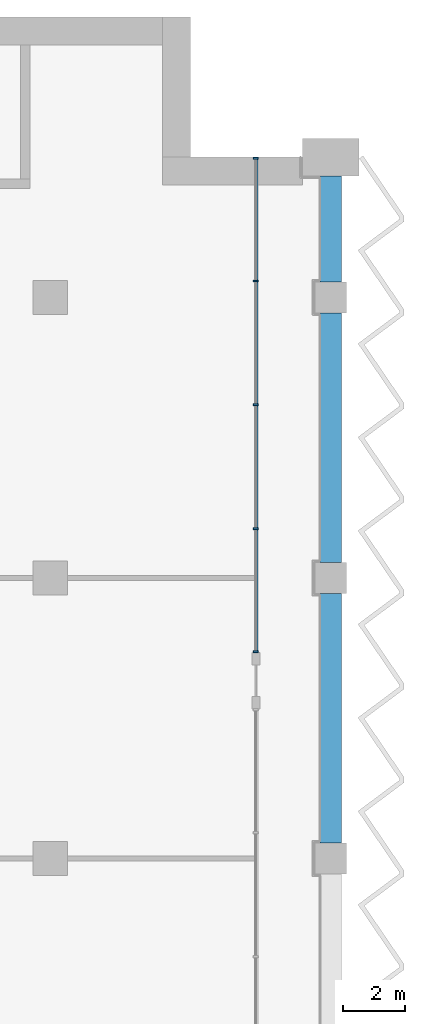
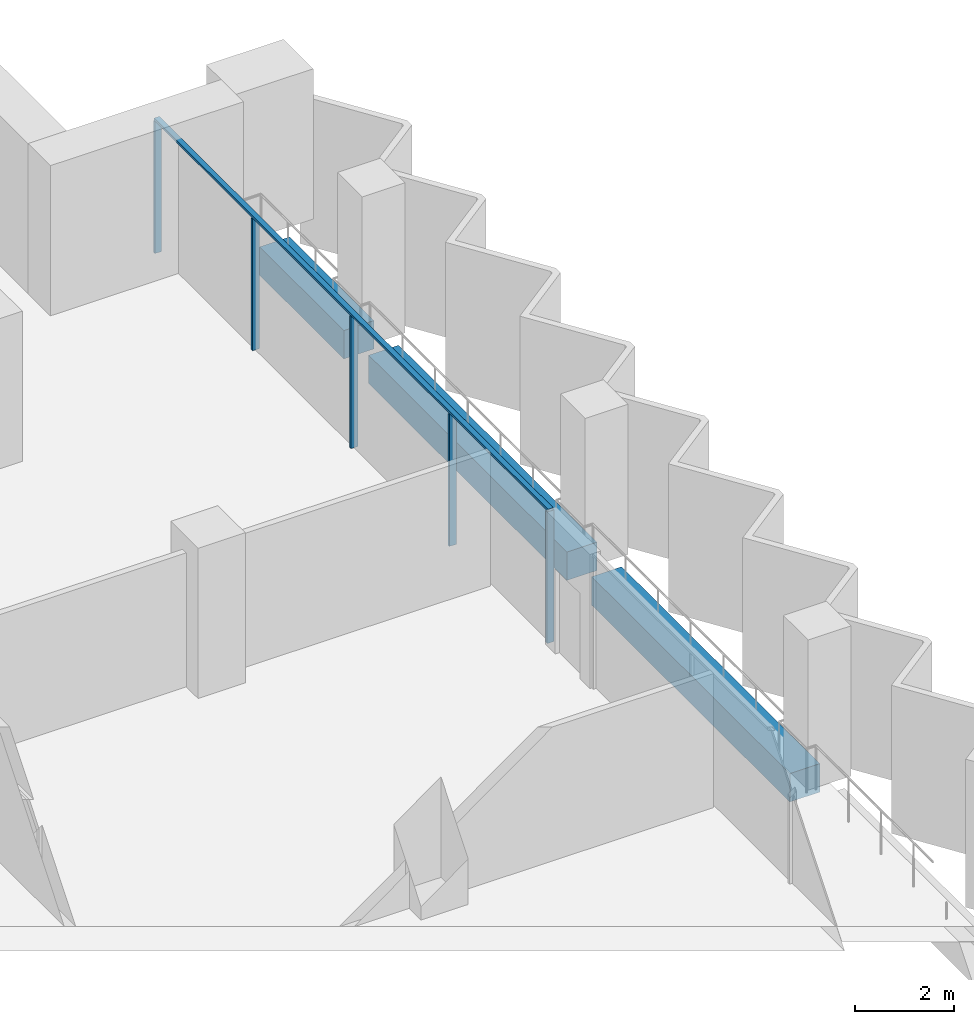
# One storey, part 5 of 17: 6 members, 3 beams, 1 element without a shape of its own.
"""IFC4 building model written with IfcOpenShell, lengths in metres."""

from ifc_helpers import new_model, si_unit, direction, frame, origin, origin_2d, place, context, subcontext, project, spatial, rectangle, extrude, material, material_profile, profile_set, type_object, element, aggregate, save


model = new_model("IFC4")

# Units and contexts
model_context = context("Model", 3, precision=1e-05, world=origin(), true_north=direction((0.0, 1.0)))
body_context = subcontext(model_context, "Body", "Model", "MODEL_VIEW")
ifc_project = project(units=[si_unit("LENGTHUNIT", "METRE"), si_unit("AREAUNIT", "SQUARE_METRE"), si_unit("VOLUMEUNIT", "CUBIC_METRE"), si_unit("PLANEANGLEUNIT", "RADIAN"), si_unit("MASSUNIT", "GRAM", prefix="KILO")], contexts=[model_context])

# Site, building, storey
site_placement = place(None, origin())
site = spatial("IfcSite", under=ifc_project, at=site_placement, CompositionType="ELEMENT")
building_placement = place(site_placement, origin())
building = spatial("IfcBuilding", under=site, at=building_placement, Name="Hunhe Ridgeline Campus", CompositionType="ELEMENT")
storey_placement = place(building_placement, frame((0.0, 0.0, 190.199951171875)))
storey = spatial("IfcBuildingStorey", under=building, at=storey_placement, Name="L48", CompositionType="ELEMENT", Elevation=190.199951171875)

# Curtain wall, members
ifc_material_1 = material(Name="Aluminium 6063", Category="aluminium")
curtain_wall_type = type_object("IfcCurtainWallType", Name="Curtain wall CW-1", PredefinedType="NOTDEFINED", material=ifc_material_1)
curtain_wall_placement = place(storey_placement, origin())
curtain_wall = element("IfcCurtainWall", 1, at=curtain_wall_placement, inside=storey, type_object=curtain_wall_type, Name="Curtain wall 14", PredefinedType="NOTDEFINED")
ifc_material_profile_1 = material_profile(ifc_material_1, rectangle(XDim=0.159912109375, YDim=0.06005859375, at=origin_2d()))
ifc_profile_set_1 = profile_set([ifc_material_profile_1], Name="Aluminium 6063")
member_type_1 = type_object("IfcMemberType", Name="CW-1 aluminium mullion", PredefinedType="MULLION", material=ifc_profile_set_1)
member_1_placement = place(storey_placement, frame((51.59912109375, 78.630615234375, 0.0), z_axis=(0.0, 0.0, 1.0), x_axis=(-1.0, 0.0, 0.0)))
member_1 = element("IfcMember", 2, at=member_1_placement, type_object=member_type_1, Name="CW-1 mullion 1", PredefinedType="MULLION", context=body_context, shape_type="SweptSolid", body=[
    extrude(rectangle(XDim=0.159912109375, YDim=0.06005859375, at=origin_2d()), origin(), (0.0, 0.0, 1.0), 3.239990234375),
])
member_2_placement = place(storey_placement, frame((51.59912109375, 82.575439453125, 0.0), z_axis=(0.0, 0.0, 1.0), x_axis=(-1.0, 0.0, 0.0)))
member_2 = element("IfcMember", 3, at=member_2_placement, type_object=member_type_1, Name="CW-1 mullion 2", PredefinedType="MULLION", context=body_context, shape_type="SweptSolid", body=[
    extrude(rectangle(XDim=0.159912109375, YDim=0.06005859375, at=origin_2d()), origin(), (0.0, 0.0, 1.0), 3.239990234375),
])
member_3_placement = place(storey_placement, frame((51.59912109375, 86.55029296875, 0.0), z_axis=(0.0, 0.0, 1.0), x_axis=(-1.0, 0.0, 0.0)))
member_3 = element("IfcMember", 4, at=member_3_placement, type_object=member_type_1, Name="CW-1 mullion 3", PredefinedType="MULLION", context=body_context, shape_type="SweptSolid", body=[
    extrude(rectangle(XDim=0.159912109375, YDim=0.06005859375, at=origin_2d()), origin(), (0.0, 0.0, 1.0), 3.239990234375),
])
member_4_placement = place(storey_placement, frame((51.59912109375, 90.525146484375, 0.0), z_axis=(0.0, 0.0, 1.0), x_axis=(-1.0, 0.0, 0.0)))
member_4 = element("IfcMember", 5, at=member_4_placement, type_object=member_type_1, Name="CW-1 mullion 4", PredefinedType="MULLION", context=body_context, shape_type="SweptSolid", body=[
    extrude(rectangle(XDim=0.159912109375, YDim=0.06005859375, at=origin_2d()), origin(), (0.0, 0.0, 1.0), 3.239990234375),
])
member_5_placement = place(storey_placement, frame((51.59912109375, 94.469970703125, 0.0), z_axis=(0.0, 0.0, 1.0), x_axis=(-1.0, 0.0, 0.0)))
member_5 = element("IfcMember", 6, at=member_5_placement, type_object=member_type_1, Name="CW-1 mullion 5", PredefinedType="MULLION", context=body_context, shape_type="SweptSolid", body=[
    extrude(rectangle(XDim=0.159912109375, YDim=0.06005859375, at=origin_2d()), origin(), (0.0, 0.0, 1.0), 3.239990234375),
])
ifc_material_profile_2 = material_profile(ifc_material_1, rectangle(XDim=0.1201171875, YDim=0.06005859375, at=origin_2d()))
ifc_profile_set_2 = profile_set([ifc_material_profile_2], Name="Aluminium 6063")
member_type_2 = type_object("IfcMemberType", Name="CW-1 aluminium transom", PredefinedType="USERDEFINED", material=ifc_profile_set_2)
member_6_placement = place(storey_placement, frame((51.59912109375, 78.6005859375, 3.27001953125), z_axis=(0.0, 1.0, 0.0), x_axis=(-1.0, 0.0, 0.0)))
member_6 = element("IfcMember", 7, at=member_6_placement, type_object=member_type_2, Name="CW-1 transom 1", ObjectType="TRANSOM", PredefinedType="USERDEFINED", context=body_context, shape_type="SweptSolid", body=[
    extrude(rectangle(XDim=0.1201171875, YDim=0.06005859375, at=origin_2d()), origin(), (0.0, 0.0, 1.0), 15.8994140625),
])
aggregate(curtain_wall, [member_6, member_1, member_2, member_3, member_4, member_5])

# Beams
ifc_material_2 = material(Name="Concrete C50", Category="concrete")
ifc_material_profile_3 = material_profile(ifc_material_2, rectangle(XDim=0.699951171875, YDim=0.699951171875, at=origin_2d()))
ifc_profile_set_3 = profile_set([ifc_material_profile_3], Name="Concrete C50")
beam_type = type_object("IfcBeamType", Name="RC spandrel beam 700x700 Concrete C50", PredefinedType="SPANDREL", material=ifc_profile_set_3)
for number, where, z_axis, x_axis, name in (
    (8, (54.0, 72.5, -0.599853515625), (0.0, 1.0, 0.0), (-1.0, 0.0, 0.0), "Spandrel beam B3-16 L48"),
    (9, (54.0, 81.5, -0.599853515625), (0.0, 1.0, 0.0), (-1.0, 0.0, 0.0), "Spandrel beam B3-17 L48"),
):
    element("IfcBeam", number, at=place(storey_placement, frame(where, z_axis=z_axis, x_axis=x_axis)), inside=storey, type_object=beam_type, Name=name, PredefinedType="SPANDREL", context=body_context, shape_type="SweptSolid", body=[
        extrude(rectangle(XDim=0.699951171875, YDim=0.699951171875, at=origin_2d()), origin(), (0.0, 0.0, 1.0), 8.0),
    ])
beam_placement = place(storey_placement, frame((54.0, 90.5, -0.599853515625), z_axis=(0.0, 1.0, 0.0), x_axis=(-1.0, 0.0, 0.0)))
element("IfcBeam", 10, at=beam_placement, inside=storey, type_object=beam_type, Name="Spandrel beam B3-18 L48", PredefinedType="SPANDREL", context=body_context, shape_type="SweptSolid", body=[
    extrude(rectangle(XDim=0.699951171875, YDim=0.699951171875, at=origin_2d()), origin(), (0.0, 0.0, 1.0), 3.39990234375),
])

save(model, "model.ifc")
